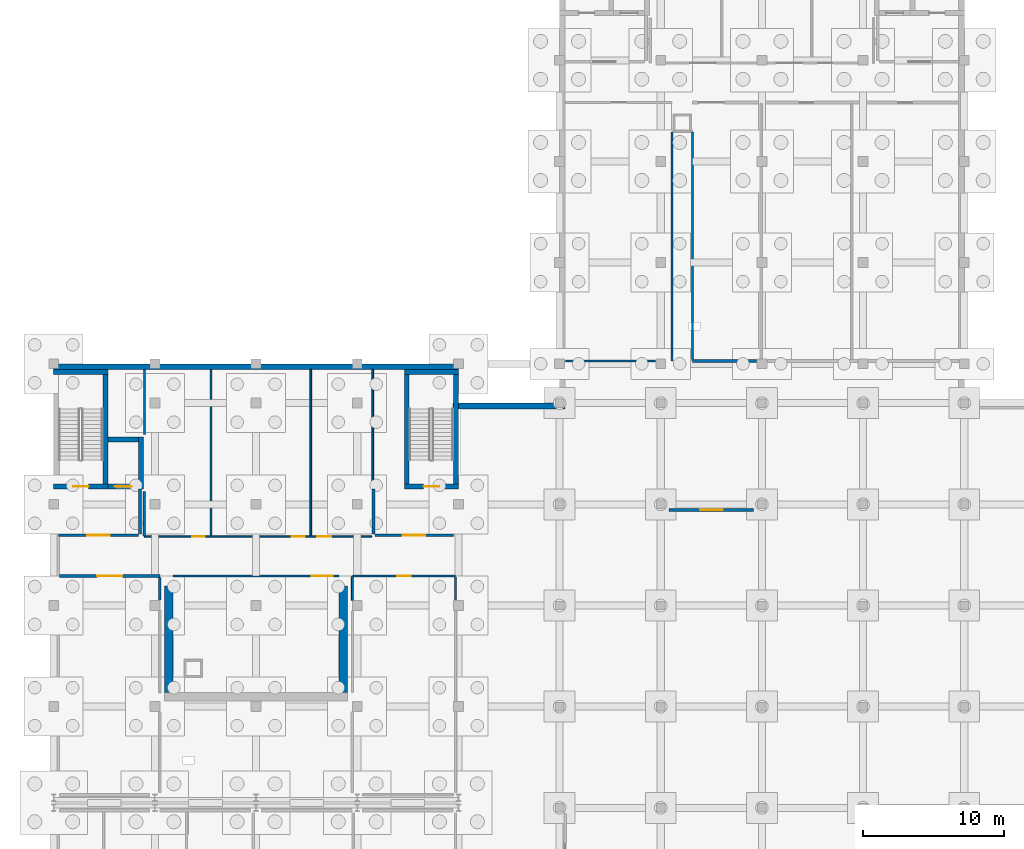
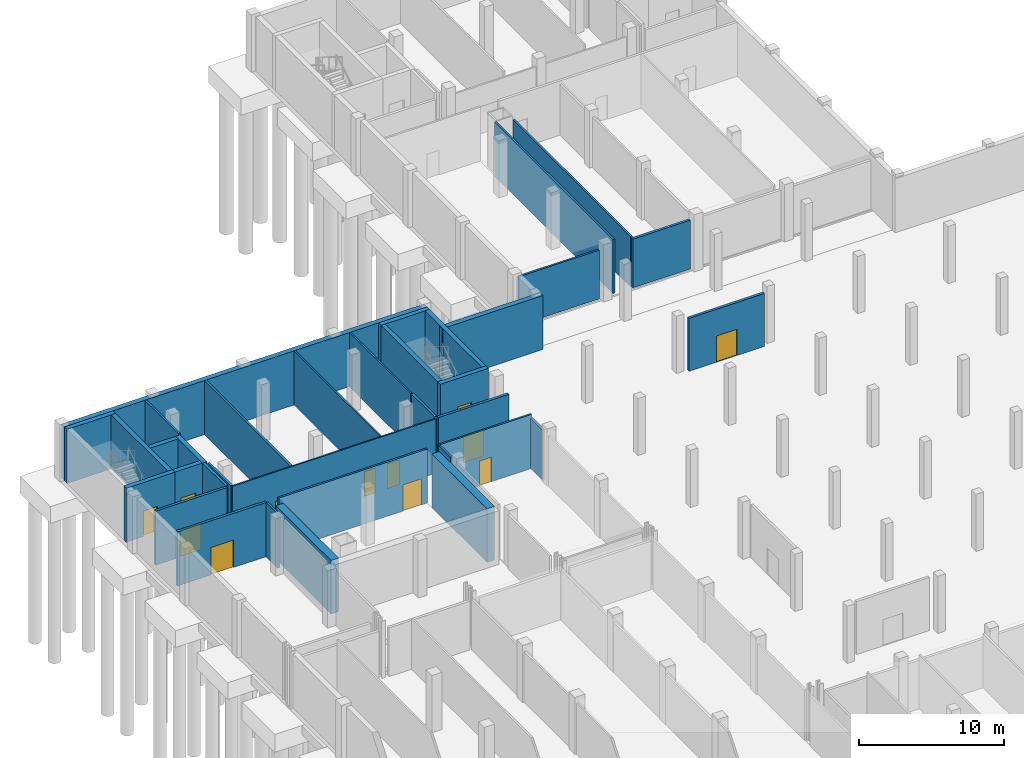
# One storey, part 21 of 35: 35 walls, 12 doors, 12 openings.
"""IFC4 building model written with IfcOpenShell, lengths in metres."""

from ifc_helpers import new_model, si_unit, direction, frame, frame_2d, origin, place, context, subcontext, project, spatial, rectangle, extrude, material, layer, layer_set, type_object, element, fill, save


model = new_model("IFC4")

# Units and contexts
model_context = context("Model", 3, precision=1e-05, world=origin(), true_north=direction((0.0, 1.0)))
body_context = subcontext(model_context, "Body", "Model", "MODEL_VIEW")
ifc_project = project(units=[si_unit("LENGTHUNIT", "METRE"), si_unit("AREAUNIT", "SQUARE_METRE"), si_unit("VOLUMEUNIT", "CUBIC_METRE"), si_unit("PLANEANGLEUNIT", "RADIAN"), si_unit("MASSUNIT", "GRAM", prefix="KILO")], contexts=[model_context])

# Site, building, storey
site_placement = place(None, origin())
site = spatial("IfcSite", under=ifc_project, at=site_placement, CompositionType="ELEMENT")
building_placement = place(site_placement, origin())
building = spatial("IfcBuilding", under=site, at=building_placement, Name="Zarrinpeak Specialist Clinic", CompositionType="ELEMENT")
storey_placement = place(building_placement, frame((0.0, 0.0, -4.800048828125)))
storey = spatial("IfcBuildingStorey", under=building, at=storey_placement, Name="B01", CompositionType="ELEMENT", Elevation=-4.800048828125)

# Walls
ifc_material_1 = material(Name="Concrete C40/50", Category="concrete")
ifc_layer_1 = layer(ifc_material_1, 0.60009765625)
ifc_layer_set_1 = layer_set([ifc_layer_1], Name="Concrete C40/50")
wall_type_1 = type_object("IfcWallType", Name="WL-BNK600", PredefinedType="SHEAR", material=ifc_layer_set_1)
for number, where, z_axis, x_axis, name in (
    (1, (8.199951171875, 58.60009765625, 0.0), (0.0, 0.0, 1.0), (0.0, 1.0, 0.0), "B01 Radiotherapy Shielded Bunker Shear Wall SW-BUNKER-01"),
    (2, (20.60009765625, 58.60009765625, 0.0), (0.0, 0.0, 1.0), (0.0, 1.0, 0.0), "B01 Radiotherapy Shielded Bunker Shear Wall SW-BUNKER-02"),
):
    element("IfcWall", number, at=place(storey_placement, frame(where, z_axis=z_axis, x_axis=x_axis)), inside=storey, type_object=wall_type_1, Name=name, PredefinedType="SHEAR", context=body_context, shape_type="SweptSolid", body=[
        extrude(rectangle(XDim=7.599853515625, YDim=0.60009765625, at=frame_2d((3.7998046875, 0.0))), origin(), (0.0, 0.0, 1.0), 4.5),
    ])

# Wall, opening, door
ifc_layer_2 = layer(ifc_material_1, 0.35009765625)
ifc_layer_set_2 = layer_set([ifc_layer_2], Name="Concrete C40/50")
wall_type_2 = type_object("IfcWallType", Name="WL-CR350", PredefinedType="SHEAR", material=ifc_layer_set_2)
wall_1_placement = place(storey_placement, frame((0.0, 73.27490234375, 0.0), z_axis=(0.0, 0.0, 1.0), x_axis=(1.0, 0.0, 0.0)))
wall_1 = element("IfcWall", 3, at=wall_1_placement, inside=storey, type_object=wall_type_2, Name="B01 Core C09 Shear Wall STS", PredefinedType="SHEAR", context=body_context, shape_type="SweptSolid", body=[
    extrude(rectangle(XDim=3.85009765625, YDim=0.35009765625, at=frame_2d((1.925048828125, 0.0))), origin(), (0.0, 0.0, 1.0), 4.545166015625),
])
opening_1_placement = place(wall_1_placement, frame((1.375, 0.0, 0.0)))
opening_1 = element("IfcOpeningElement", 4, at=opening_1_placement, cuts=wall_1, Name="Opening D-S02", PredefinedType="OPENING", context=body_context, shape_type="SweptSolid", body=[
    extrude(rectangle(XDim=1.10009765625, YDim=2.14990234375, at=frame_2d((0.550048828125, 1.074951171875))), frame((0.0, 0.18505859375, 0.0), z_axis=(0.0, -1.0, 0.0), x_axis=(1.0, 0.0, 0.0)), (0.0, 0.0, 1.0), 0.3701171875),
])
ifc_material_2 = material(Name="Powder-Coated Galvanised Steel", Category="steel")
door_type_1 = type_object("IfcDoorType", Name="DR-FD110", OperationType="SINGLE_SWING_RIGHT", PredefinedType="DOOR", material=ifc_material_2)
door_1_placement = place(opening_1_placement, origin())
door_1 = element("IfcDoor", 5, at=door_1_placement, inside=storey, type_object=door_type_1, Name="B01 Protected Stair ST-09 Fire Door", OperationType="SINGLE_SWING_RIGHT", OverallHeight=2.14990234375, OverallWidth=1.10009765625, PredefinedType="DOOR", context=body_context, shape_type="SweptSolid", body=[
    extrude(rectangle(XDim=1.10009765625, YDim=2.14990234375, at=frame_2d((0.550048828125, 1.074951171875))), frame((0.0, 0.02490234375, 0.0), z_axis=(0.0, -1.0, 0.0), x_axis=(1.0, 0.0, 0.0)), (0.0, 0.0, 1.0), 0.050048828125),
])
fill(opening_1, door_1)

# Walls
wall_2_placement = place(storey_placement, frame((0.0, 81.425048828125, 0.0), z_axis=(0.0, 0.0, 1.0), x_axis=(1.0, 0.0, 0.0)))
element("IfcWall", 6, at=wall_2_placement, inside=storey, type_object=wall_type_2, Name="B01 Core C09 Shear Wall STN", PredefinedType="SHEAR", context=body_context, shape_type="SweptSolid", body=[
    extrude(rectangle(XDim=3.85009765625, YDim=0.35009765625, at=frame_2d((1.925048828125, 0.0))), origin(), (0.0, 0.0, 1.0), 4.545166015625),
])
wall_3_placement = place(storey_placement, frame((3.675048828125, 73.449951171875, 0.0), z_axis=(0.0, 0.0, 1.0), x_axis=(0.0, 1.0, 0.0)))
element("IfcWall", 7, at=wall_3_placement, inside=storey, type_object=wall_type_2, Name="B01 Core C09 Shear Wall STE", PredefinedType="SHEAR", context=body_context, shape_type="SweptSolid", body=[
    extrude(rectangle(XDim=7.800048828125, YDim=0.35009765625, at=frame_2d((3.89990234375, 0.0))), origin(), (0.0, 0.0, 1.0), 4.545166015625),
])

# Wall, opening, door
wall_4_placement = place(storey_placement, frame((3.85009765625, 73.27490234375, 0.0), z_axis=(0.0, 0.0, 1.0), x_axis=(1.0, 0.0, 0.0)))
wall_4 = element("IfcWall", 8, at=wall_4_placement, inside=storey, type_object=wall_type_2, Name="B01 Lift LF-P5 Shaft Wall LFS", PredefinedType="SHEAR", context=body_context, shape_type="SweptSolid", body=[
    extrude(rectangle(XDim=2.199951171875, YDim=0.35009765625, at=frame_2d((1.10009765625, 0.0))), origin(), (0.0, 0.0, 1.0), 4.545166015625),
])
opening_2_placement = place(wall_4_placement, frame((0.5, 0.0, 0.0)))
opening_2 = element("IfcOpeningElement", 9, at=opening_2_placement, cuts=wall_4, Name="Opening LD-02", PredefinedType="OPENING", context=body_context, shape_type="SweptSolid", body=[
    extrude(rectangle(XDim=1.199951171875, YDim=2.199951171875, at=frame_2d((0.60009765625, 1.10009765625))), frame((0.0, 0.18505859375, 0.0), z_axis=(0.0, -1.0, 0.0), x_axis=(1.0, 0.0, 0.0)), (0.0, 0.0, 1.0), 0.3701171875),
])
door_type_2 = type_object("IfcDoorType", Name="DR-LD120", OperationType="SLIDING_TO_RIGHT", PredefinedType="DOOR", material=ifc_material_2)
door_2_placement = place(opening_2_placement, origin())
door_2 = element("IfcDoor", 10, at=door_2_placement, inside=storey, type_object=door_type_2, Name="B01 Lift LF-P5 Sliding Landing Door", OperationType="SLIDING_TO_RIGHT", OverallHeight=2.199951171875, OverallWidth=1.199951171875, PredefinedType="DOOR", context=body_context, shape_type="SweptSolid", body=[
    extrude(rectangle(XDim=1.199951171875, YDim=2.199951171875, at=frame_2d((0.60009765625, 1.10009765625))), frame((0.0, 0.02490234375, 0.0), z_axis=(0.0, -1.0, 0.0), x_axis=(1.0, 0.0, 0.0)), (0.0, 0.0, 1.0), 0.050048828125),
])
fill(opening_2, door_2)

# Walls
wall_5_placement = place(storey_placement, frame((3.85009765625, 76.625, 0.0), z_axis=(0.0, 0.0, 1.0), x_axis=(1.0, 0.0, 0.0)))
element("IfcWall", 11, at=wall_5_placement, inside=storey, type_object=wall_type_2, Name="B01 Lift LF-P5 Shaft Wall LFN", PredefinedType="SHEAR", context=body_context, shape_type="SweptSolid", body=[
    extrude(rectangle(XDim=2.199951171875, YDim=0.35009765625, at=frame_2d((1.10009765625, 0.0))), origin(), (0.0, 0.0, 1.0), 4.545166015625),
])
wall_6_placement = place(storey_placement, frame((6.22509765625, 73.10009765625, 0.0), z_axis=(0.0, 0.0, 1.0), x_axis=(0.0, 1.0, 0.0)))
element("IfcWall", 12, at=wall_6_placement, inside=storey, type_object=wall_type_2, Name="B01 Lift LF-P5 Shaft Wall LFE", PredefinedType="SHEAR", context=body_context, shape_type="SweptSolid", body=[
    extrude(rectangle(XDim=3.699951171875, YDim=0.35009765625, at=frame_2d((1.85009765625, 0.0))), origin(), (0.0, 0.0, 1.0), 4.545166015625),
])

# Wall, opening, door
wall_7_placement = place(storey_placement, frame((24.949951171875, 73.27490234375, 0.0), z_axis=(0.0, 0.0, 1.0), x_axis=(1.0, 0.0, 0.0)))
wall_7 = element("IfcWall", 13, at=wall_7_placement, inside=storey, type_object=wall_type_2, Name="B01 Core C10 Shear Wall STS", PredefinedType="SHEAR", context=body_context, shape_type="SweptSolid", body=[
    extrude(rectangle(XDim=3.85009765625, YDim=0.35009765625, at=frame_2d((1.925048828125, 0.0))), origin(), (0.0, 0.0, 1.0), 4.545166015625),
])
opening_3_placement = place(wall_7_placement, frame((1.375, 0.0, 0.0)))
opening_3 = element("IfcOpeningElement", 14, at=opening_3_placement, cuts=wall_7, Name="Opening D-S02", PredefinedType="OPENING", context=body_context, shape_type="SweptSolid", body=[
    extrude(rectangle(XDim=1.10009765625, YDim=2.14990234375, at=frame_2d((0.550048828125, 1.074951171875))), frame((0.0, 0.18505859375, 0.0), z_axis=(0.0, -1.0, 0.0), x_axis=(1.0, 0.0, 0.0)), (0.0, 0.0, 1.0), 0.3701171875),
])
door_3_placement = place(opening_3_placement, origin())
door_3 = element("IfcDoor", 15, at=door_3_placement, inside=storey, type_object=door_type_1, Name="B01 Protected Stair ST-10 Fire Door", OperationType="SINGLE_SWING_RIGHT", OverallHeight=2.14990234375, OverallWidth=1.10009765625, PredefinedType="DOOR", context=body_context, shape_type="SweptSolid", body=[
    extrude(rectangle(XDim=1.10009765625, YDim=2.14990234375, at=frame_2d((0.550048828125, 1.074951171875))), frame((0.0, 0.02490234375, 0.0), z_axis=(0.0, -1.0, 0.0), x_axis=(1.0, 0.0, 0.0)), (0.0, 0.0, 1.0), 0.050048828125),
])
fill(opening_3, door_3)

# Walls
wall_8_placement = place(storey_placement, frame((24.949951171875, 81.425048828125, 0.0), z_axis=(0.0, 0.0, 1.0), x_axis=(1.0, 0.0, 0.0)))
element("IfcWall", 16, at=wall_8_placement, inside=storey, type_object=wall_type_2, Name="B01 Core C10 Shear Wall STN", PredefinedType="SHEAR", context=body_context, shape_type="SweptSolid", body=[
    extrude(rectangle(XDim=3.85009765625, YDim=0.35009765625, at=frame_2d((1.925048828125, 0.0))), origin(), (0.0, 0.0, 1.0), 4.545166015625),
])
for number, where, z_axis, x_axis, name in (
    (17, (25.125, 73.449951171875, 0.0), (0.0, 0.0, 1.0), (0.0, 1.0, 0.0), "B01 Core C10 Shear Wall STW"),
    (18, (28.625, 73.449951171875, 0.0), (0.0, 0.0, 1.0), (0.0, 1.0, 0.0), "B01 Core C10 Shear Wall STE"),
):
    element("IfcWall", number, at=place(storey_placement, frame(where, z_axis=z_axis, x_axis=x_axis)), inside=storey, type_object=wall_type_2, Name=name, PredefinedType="SHEAR", context=body_context, shape_type="SweptSolid", body=[
        extrude(rectangle(XDim=7.800048828125, YDim=0.35009765625, at=frame_2d((3.89990234375, 0.0))), origin(), (0.0, 0.0, 1.0), 4.545166015625),
    ])

# Wall, openings, doors
ifc_material_3 = material(Name="Sanitary Service Chase Plumbing Wall", Category="gypsum")
ifc_layer_3 = layer(ifc_material_3, 0.110107421875)
ifc_layer_set_3 = layer_set([ifc_layer_3], Name="Sanitary Service Chase Plumbing Wall")
wall_type_3 = type_object("IfcWallType", Name="WL-IW110", PredefinedType="PARTITIONING", material=ifc_layer_set_3)
wall_9_placement = place(storey_placement, frame((6.449951171875, 69.699951171875, 0.0), z_axis=(0.0, 0.0, 1.0), x_axis=(1.0, 0.0, 0.0)))
wall_9 = element("IfcWall", 19, at=wall_9_placement, inside=storey, type_object=wall_type_3, Name="B01 Accessible Oncology WC Partition", PredefinedType="PARTITIONING", context=body_context, shape_type="SweptSolid", body=[
    extrude(rectangle(XDim=16.179931640625, YDim=0.110107421875, at=frame_2d((8.08984375, 0.0))), origin(), (0.0, 0.0, 1.0), 4.545166015625),
])
opening_4_placement = place(wall_9_placement, frame((12.300048828125, 0.0, 0.0)))
opening_4 = element("IfcOpeningElement", 20, at=opening_4_placement, cuts=wall_9, Name="Opening D-W02", PredefinedType="OPENING", context=body_context, shape_type="SweptSolid", body=[
    extrude(rectangle(XDim=1.0, YDim=2.10009765625, at=frame_2d((0.5, 1.050048828125))), frame((0.0, 0.06494140625, 0.0), z_axis=(0.0, -1.0, 0.0), x_axis=(1.0, 0.0, 0.0)), (0.0, 0.0, 1.0), 0.130126953125),
])
opening_5_placement = place(wall_9_placement, frame((3.419921875, 0.0, 0.0)))
opening_5 = element("IfcOpeningElement", 21, at=opening_5_placement, cuts=wall_9, Name="Opening DS-14", PredefinedType="OPENING", context=body_context, shape_type="SweptSolid", body=[
    extrude(rectangle(XDim=0.8798828125, YDim=2.068115234375, at=frame_2d((0.43994140625, 1.0341796875))), frame((0.0, 0.06494140625, 0.0), z_axis=(0.0, -1.0, 0.0), x_axis=(1.0, 0.0, 0.0)), (0.0, 0.0, 1.0), 0.130126953125),
])
opening_6_placement = place(wall_9_placement, frame((10.493896484375, 0.0, 0.0)))
opening_6 = element("IfcOpeningElement", 22, at=opening_6_placement, cuts=wall_9, Name="Opening DS-15", PredefinedType="OPENING", context=body_context, shape_type="SweptSolid", body=[
    extrude(rectangle(XDim=0.906005859375, YDim=2.068115234375, at=frame_2d((0.453125, 1.0341796875))), frame((0.0, 0.06494140625, 0.0), z_axis=(0.0, -1.0, 0.0), x_axis=(1.0, 0.0, 0.0)), (0.0, 0.0, 1.0), 0.130126953125),
])
door_type_3 = type_object("IfcDoorType", Name="DR-AWC100", OperationType="SLIDING_TO_LEFT", PredefinedType="DOOR", material=ifc_material_2)
door_4_placement = place(opening_4_placement, frame((1.0, 0.0, 0.0), z_axis=(0.0, 0.0, 1.0), x_axis=(-1.0, 0.0, 0.0)))
door_4 = element("IfcDoor", 23, at=door_4_placement, inside=storey, type_object=door_type_3, Name="B01 Accessible Oncology WC Door", OperationType="SLIDING_TO_LEFT", OverallHeight=2.10009765625, OverallWidth=1.0, PredefinedType="DOOR", context=body_context, shape_type="SweptSolid", body=[
    extrude(rectangle(XDim=1.0, YDim=2.10009765625, at=frame_2d((0.5, 1.050048828125))), frame((0.0, 0.02490234375, 0.0), z_axis=(0.0, -1.0, 0.0), x_axis=(1.0, 0.0, 0.0)), (0.0, 0.0, 1.0), 0.050048828125),
])
fill(opening_4, door_4)
door_type_4 = type_object("IfcDoorType", Name="DR-SP14", OperationType="SINGLE_SWING_LEFT", PredefinedType="DOOR", material=ifc_material_2)
door_5_placement = place(opening_5_placement, frame((0.8798828125, 0.0, 0.0), z_axis=(0.0, 0.0, 1.0), x_axis=(-1.0, 0.0, 0.0)))
door_5 = element("IfcDoor", 24, at=door_5_placement, inside=storey, type_object=door_type_4, Name="B01 Brachytherapy Control Room Door", OperationType="SINGLE_SWING_LEFT", OverallHeight=2.068115234375, OverallWidth=0.8798828125, PredefinedType="DOOR", context=body_context, shape_type="SweptSolid", body=[
    extrude(rectangle(XDim=0.8798828125, YDim=2.068115234375, at=frame_2d((0.43994140625, 1.0341796875))), frame((0.0, 0.02490234375, 0.0), z_axis=(0.0, -1.0, 0.0), x_axis=(1.0, 0.0, 0.0)), (0.0, 0.0, 1.0), 0.050048828125),
])
fill(opening_5, door_5)
door_type_5 = type_object("IfcDoorType", Name="DR-SP15", OperationType="SINGLE_SWING_RIGHT", PredefinedType="DOOR", material=ifc_material_2)
door_6_placement = place(opening_6_placement, frame((0.906005859375, 0.0, 0.0), z_axis=(0.0, 0.0, 1.0), x_axis=(-1.0, 0.0, 0.0)))
door_6 = element("IfcDoor", 25, at=door_6_placement, inside=storey, type_object=door_type_5, Name="B01 Physics Dosimetry Office Door", OperationType="SINGLE_SWING_RIGHT", OverallHeight=2.068115234375, OverallWidth=0.906005859375, PredefinedType="DOOR", context=body_context, shape_type="SweptSolid", body=[
    extrude(rectangle(XDim=0.906005859375, YDim=2.068115234375, at=frame_2d((0.453125, 1.0341796875))), frame((0.0, 0.02490234375, 0.0), z_axis=(0.0, -1.0, 0.0), x_axis=(1.0, 0.0, 0.0)), (0.0, 0.0, 1.0), 0.050048828125),
])
fill(opening_6, door_6)

# Walls
ifc_material_4 = material(Name="Moisture-Resistant Wet-Room Partition", Category="gypsum")
ifc_layer_4 = layer(ifc_material_4, 0.125)
ifc_layer_set_4 = layer_set([ifc_layer_4], Name="Moisture-Resistant Wet-Room Partition")
wall_type_4 = type_object("IfcWallType", Name="WL-IW125W", PredefinedType="PARTITIONING", material=ifc_layer_set_4)
wall_10_placement = place(storey_placement, frame((18.300048828125, 69.7548828125, 0.0), z_axis=(0.0, 0.0, 1.0), x_axis=(0.0, 1.0, 0.0)))
element("IfcWall", 26, at=wall_10_placement, inside=storey, type_object=wall_type_4, Name="B01 Accessible Oncology WC Dividing Partition", PredefinedType="PARTITIONING", context=body_context, shape_type="SweptSolid", body=[
    extrude(rectangle(XDim=11.84521484375, YDim=0.125, at=frame_2d((5.922607421875, 0.0))), origin(), (0.0, 0.0, 1.0), 4.545166015625),
])
wall_11_placement = place(storey_placement, frame((22.699951171875, 73.199951171875, 0.0), z_axis=(0.0, 0.0, 1.0), x_axis=(0.0, 1.0, 0.0)))
element("IfcWall", 27, at=wall_11_placement, inside=storey, type_object=wall_type_4, Name="B01 Accessible Oncology WC Dividing Partition", PredefinedType="PARTITIONING", context=body_context, shape_type="SweptSolid", body=[
    extrude(rectangle(XDim=8.400146484375, YDim=0.125, at=frame_2d((4.2001953125, 0.0))), origin(), (0.0, 0.0, 1.0), 4.545166015625),
])

# Wall, opening, door
ifc_material_5 = material(Name="Acoustic Consultation Stud Partition", Category="gypsum")
ifc_layer_5 = layer(ifc_material_5, 0.14208984375)
ifc_layer_set_5 = layer_set([ifc_layer_5], Name="Acoustic Consultation Stud Partition")
wall_type_5 = type_object("IfcWallType", Name="WL-IW142", PredefinedType="PARTITIONING", material=ifc_layer_set_5)
wall_12_placement = place(storey_placement, frame((21.25, 66.89990234375, 0.0), z_axis=(0.0, 0.0, 1.0), x_axis=(1.0, 0.0, 0.0)))
wall_12 = element("IfcWall", 28, at=wall_12_placement, inside=storey, type_object=wall_type_5, Name="B01 Specialist Consultation Room 1 Partition", PredefinedType="PARTITIONING", context=body_context, shape_type="SweptSolid", body=[
    extrude(rectangle(XDim=7.35009765625, YDim=0.14208984375, at=frame_2d((3.675048828125, 0.0))), origin(), (0.0, 0.0, 1.0), 4.545166015625),
])
opening_7_placement = place(wall_12_placement, frame((3.208984375, 0.0, 0.0)))
opening_7 = element("IfcOpeningElement", 29, at=opening_7_placement, cuts=wall_12, Name="Opening DS-16", PredefinedType="OPENING", context=body_context, shape_type="SweptSolid", body=[
    extrude(rectangle(XDim=0.931884765625, YDim=2.068115234375, at=frame_2d((0.4658203125, 1.0341796875))), frame((0.0, 0.0810546875, 0.0), z_axis=(0.0, -1.0, 0.0), x_axis=(1.0, 0.0, 0.0)), (0.0, 0.0, 1.0), 0.162109375),
])
door_type_6 = type_object("IfcDoorType", Name="DR-SP16", OperationType="SINGLE_SWING_LEFT", PredefinedType="DOOR", material=ifc_material_2)
door_7_placement = place(opening_7_placement, origin())
door_7 = element("IfcDoor", 30, at=door_7_placement, inside=storey, type_object=door_type_6, Name="B01 Specialist Consultation Room 1 Door", OperationType="SINGLE_SWING_LEFT", OverallHeight=2.068115234375, OverallWidth=0.931884765625, PredefinedType="DOOR", context=body_context, shape_type="SweptSolid", body=[
    extrude(rectangle(XDim=0.931884765625, YDim=2.068115234375, at=frame_2d((0.4658203125, 1.0341796875))), frame((0.0, 0.02490234375, 0.0), z_axis=(0.0, -1.0, 0.0), x_axis=(1.0, 0.0, 0.0)), (0.0, 0.0, 1.0), 0.050048828125),
])
fill(opening_7, door_7)

# Walls
wall_13_placement = place(storey_placement, frame((21.25, 65.179931640625, 0.0), z_axis=(0.0, 0.0, 1.0), x_axis=(0.0, 1.0, 0.0)))
element("IfcWall", 31, at=wall_13_placement, inside=storey, type_object=wall_type_5, Name="B01 Specialist Consultation Room 1 Dividing Partition", PredefinedType="PARTITIONING", context=body_context, shape_type="SweptSolid", body=[
    extrude(rectangle(XDim=1.649169921875, YDim=0.14208984375, at=frame_2d((0.82470703125, 0.0))), origin(), (0.0, 0.0, 1.0), 4.545166015625),
])
ifc_material_6 = material(Name="Insulated Clinical Gypsum Stud Partition", Category="gypsum")
ifc_layer_6 = layer(ifc_material_6, 0.14990234375)
ifc_layer_set_6 = layer_set([ifc_layer_6], Name="Insulated Clinical Gypsum Stud Partition")
wall_type_6 = type_object("IfcWallType", Name="WL-IW150", PredefinedType="PARTITIONING", material=ifc_layer_set_6)
wall_14_placement = place(storey_placement, frame((36.419921875, 82.199951171875, 0.0), z_axis=(0.0, 0.0, 1.0), x_axis=(1.0, 0.0, 0.0)))
element("IfcWall", 32, at=wall_14_placement, inside=storey, type_object=wall_type_6, Name="B01 Specialist Consultation Room 2 Partition", PredefinedType="PARTITIONING", context=body_context, shape_type="SweptSolid", body=[
    extrude(rectangle(XDim=6.400146484375, YDim=0.14990234375, at=frame_2d((3.2001953125, 0.0))), origin(), (0.0, 0.0, 1.0), 4.094970703125),
])
wall_15_placement = place(storey_placement, frame((6.449951171875, 76.97509765625, 0.0), z_axis=(0.0, 0.0, 1.0), x_axis=(0.0, 1.0, 0.0)))
element("IfcWall", 33, at=wall_15_placement, inside=storey, type_object=wall_type_6, Name="B01 Brachytherapy Control Room Dividing Partition", PredefinedType="PARTITIONING", context=body_context, shape_type="SweptSolid", body=[
    extrude(rectangle(XDim=4.625, YDim=0.14990234375, at=frame_2d((2.3125, 0.0))), origin(), (0.0, 0.0, 1.0), 4.545166015625),
])
wall_16_placement = place(storey_placement, frame((45.449951171875, 82.300048828125, 0.0), z_axis=(0.0, 0.0, 1.0), x_axis=(0.0, 1.0, 0.0)))
element("IfcWall", 34, at=wall_16_placement, inside=storey, type_object=wall_type_6, Name="B01 Autoclave Glassware Wash Plant Dividing Partition", PredefinedType="PARTITIONING", context=body_context, shape_type="SweptSolid", body=[
    extrude(rectangle(XDim=16.18994140625, YDim=0.14990234375, at=frame_2d((8.094970703125, 0.0))), origin(), (0.0, 0.0, 1.0), 4.235107421875),
])

# Wall, opening, door
ifc_material_7 = material(Name="Lead-Lined X-Ray Diagnostic Partition", Category="gypsum")
ifc_layer_7 = layer(ifc_material_7, 0.157958984375)
ifc_layer_set_7 = layer_set([ifc_layer_7], Name="Lead-Lined X-Ray Diagnostic Partition")
wall_type_7 = type_object("IfcWallType", Name="WL-IW158", PredefinedType="PARTITIONING", material=ifc_layer_set_7)
wall_17_placement = place(storey_placement, frame((8.5, 66.89990234375, 0.0), z_axis=(0.0, 0.0, 1.0), x_axis=(1.0, 0.0, 0.0)))
wall_17 = element("IfcWall", 35, at=wall_17_placement, inside=storey, type_object=wall_type_7, Name="B01 Radiotherapy Linear Accelerator Bunker Partition", PredefinedType="PARTITIONING", context=body_context, shape_type="SweptSolid", body=[
    extrude(rectangle(XDim=11.800048828125, YDim=0.157958984375, at=frame_2d((5.89990234375, 0.0))), origin(), (0.0, 0.0, 1.0), 4.545166015625),
])
opening_8_placement = place(wall_17_placement, frame((9.85009765625, 0.0, 0.0)))
opening_8 = element("IfcOpeningElement", 36, at=opening_8_placement, cuts=wall_17, Name="Opening D-B01", PredefinedType="OPENING", context=body_context, shape_type="SweptSolid", body=[
    extrude(rectangle(XDim=1.5, YDim=2.199951171875, at=frame_2d((0.75, 1.10009765625))), frame((0.0, 0.0888671875, 0.0), z_axis=(0.0, -1.0, 0.0), x_axis=(1.0, 0.0, 0.0)), (0.0, 0.0, 1.0), 0.177978515625),
])
door_type_7 = type_object("IfcDoorType", Name="DR-BED150", OperationType="DOUBLE_DOOR_SINGLE_SWING", PredefinedType="DOOR", material=ifc_material_2)
door_8_placement = place(opening_8_placement, origin())
door_8 = element("IfcDoor", 37, at=door_8_placement, inside=storey, type_object=door_type_7, Name="B01 Radiotherapy Linear Accelerator Bunker Door", OperationType="DOUBLE_DOOR_SINGLE_SWING", OverallHeight=2.199951171875, OverallWidth=1.5, PredefinedType="DOOR", context=body_context, shape_type="SweptSolid", body=[
    extrude(rectangle(XDim=1.5, YDim=2.199951171875, at=frame_2d((0.75, 1.10009765625))), frame((0.0, 0.02490234375, 0.0), z_axis=(0.0, -1.0, 0.0), x_axis=(1.0, 0.0, 0.0)), (0.0, 0.0, 1.0), 0.050048828125),
])
fill(opening_8, door_8)

# Walls
ifc_material_8 = material(Name="Acoustic Double Gypsum Stud Partition", Category="gypsum")
ifc_layer_8 = layer(ifc_material_8, 0.159912109375)
ifc_layer_set_8 = layer_set([ifc_layer_8], Name="Acoustic Double Gypsum Stud Partition")
wall_type_8 = type_object("IfcWallType", Name="WL-IW160", PredefinedType="PARTITIONING", material=ifc_layer_set_8)
wall_18_placement = place(storey_placement, frame((6.449951171875, 69.7548828125, 0.0), z_axis=(0.0, 0.0, 1.0), x_axis=(0.0, 1.0, 0.0)))
element("IfcWall", 38, at=wall_18_placement, inside=storey, type_object=wall_type_8, Name="B01 Brachytherapy Control Room Dividing Partition", PredefinedType="PARTITIONING", context=body_context, shape_type="SweptSolid", body=[
    extrude(rectangle(XDim=3.170166015625, YDim=0.159912109375, at=frame_2d((1.5849609375, 0.0))), origin(), (0.0, 0.0, 1.0), 4.545166015625),
])
wall_19_placement = place(storey_placement, frame((7.550048828125, 65.179931640625, 0.0), z_axis=(0.0, 0.0, 1.0), x_axis=(0.0, 1.0, 0.0)))
element("IfcWall", 39, at=wall_19_placement, inside=storey, type_object=wall_type_8, Name="B01 Helium Quench Chiller Plant Dividing Partition", PredefinedType="PARTITIONING", context=body_context, shape_type="SweptSolid", body=[
    extrude(rectangle(XDim=1.6201171875, YDim=0.159912109375, at=frame_2d((0.81005859375, 0.0))), origin(), (0.0, 0.0, 1.0), 4.545166015625),
])
wall_20_placement = place(storey_placement, frame((11.199951171875, 69.7548828125, 0.0), z_axis=(0.0, 0.0, 1.0), x_axis=(0.0, 1.0, 0.0)))
element("IfcWall", 40, at=wall_20_placement, inside=storey, type_object=wall_type_8, Name="B01 Brachytherapy Control Room Dividing Partition", PredefinedType="PARTITIONING", context=body_context, shape_type="SweptSolid", body=[
    extrude(rectangle(XDim=11.84521484375, YDim=0.159912109375, at=frame_2d((5.922607421875, 0.0))), origin(), (0.0, 0.0, 1.0), 4.545166015625),
])
wall_21_placement = place(storey_placement, frame((28.60009765625, 65.179931640625, 0.0), z_axis=(0.0, 0.0, 1.0), x_axis=(0.0, 1.0, 0.0)))
element("IfcWall", 41, at=wall_21_placement, inside=storey, type_object=wall_type_8, Name="B01 Specialist Consultation Room 1 Dividing Partition", PredefinedType="PARTITIONING", context=body_context, shape_type="SweptSolid", body=[
    extrude(rectangle(XDim=1.649169921875, YDim=0.159912109375, at=frame_2d((0.82470703125, 0.0))), origin(), (0.0, 0.0, 1.0), 4.235107421875),
])
wall_22_placement = place(storey_placement, frame((44.0, 82.199951171875, 0.0), z_axis=(0.0, 0.0, 1.0), x_axis=(0.0, 1.0, 0.0)))
element("IfcWall", 42, at=wall_22_placement, inside=storey, type_object=wall_type_8, Name="B01 Specialist Consultation Room 2 Dividing Partition", PredefinedType="PARTITIONING", context=body_context, shape_type="SweptSolid", body=[
    extrude(rectangle(XDim=16.2900390625, YDim=0.159912109375, at=frame_2d((8.14501953125, 0.0))), origin(), (0.0, 0.0, 1.0), 4.545166015625),
])

# Wall, opening, door
ifc_material_9 = material(Name="Autoclaved Aerated Concrete Blockwork", Category="masonry")
ifc_layer_9 = layer(ifc_material_9, 0.199951171875)
ifc_layer_set_9 = layer_set([ifc_layer_9], Name="Autoclaved Aerated Concrete Blockwork")
wall_type_9 = type_object("IfcWallType", Name="WL-IW200", PredefinedType="PARTITIONING", material=ifc_layer_set_9)
wall_23_placement = place(storey_placement, frame((0.35009765625, 69.800048828125, 0.0), z_axis=(0.0, 0.0, 1.0), x_axis=(1.0, 0.0, 0.0)))
wall_23 = element("IfcWall", 43, at=wall_23_placement, inside=storey, type_object=wall_type_9, Name="B01 C09 Protected Lobby Partition LBF", PredefinedType="PARTITIONING", context=body_context, shape_type="SweptSolid", body=[
    extrude(rectangle(XDim=5.699951171875, YDim=0.199951171875, at=frame_2d((2.85009765625, 0.0))), origin(), (0.0, 0.0, 1.0), 4.545166015625),
])
opening_9_placement = place(wall_23_placement, frame((2.050048828125, 0.0, 0.0)))
opening_9 = element("IfcOpeningElement", 44, at=opening_9_placement, cuts=wall_23, Name="Opening D-L01", PredefinedType="OPENING", context=body_context, shape_type="SweptSolid", body=[
    extrude(rectangle(XDim=1.60009765625, YDim=2.199951171875, at=frame_2d((0.800048828125, 1.10009765625))), frame((0.0, 0.10986328125, 0.0), z_axis=(0.0, -1.0, 0.0), x_axis=(1.0, 0.0, 0.0)), (0.0, 0.0, 1.0), 0.219970703125),
])
door_type_8 = type_object("IfcDoorType", Name="DR-LB160", OperationType="DOUBLE_DOOR_SINGLE_SWING", PredefinedType="DOOR", material=ifc_material_2)
door_9_placement = place(opening_9_placement, origin())
door_9 = element("IfcDoor", 45, at=door_9_placement, inside=storey, type_object=door_type_8, Name="B01 C09 Lobby Hold-Open Fire Door", OperationType="DOUBLE_DOOR_SINGLE_SWING", OverallHeight=2.199951171875, OverallWidth=1.60009765625, PredefinedType="DOOR", context=body_context, shape_type="SweptSolid", body=[
    extrude(rectangle(XDim=1.60009765625, YDim=2.199951171875, at=frame_2d((0.800048828125, 1.10009765625))), frame((0.0, 0.02490234375, 0.0), z_axis=(0.0, -1.0, 0.0), x_axis=(1.0, 0.0, 0.0)), (0.0, 0.0, 1.0), 0.050048828125),
])
fill(opening_9, door_9)

# Wall
wall_24_placement = place(storey_placement, frame((6.14990234375, 69.89990234375, 0.0), z_axis=(0.0, 0.0, 1.0), x_axis=(0.0, 1.0, 0.0)))
element("IfcWall", 46, at=wall_24_placement, inside=storey, type_object=wall_type_9, Name="B01 C09 Protected Lobby Partition LBE", PredefinedType="PARTITIONING", context=body_context, shape_type="SweptSolid", body=[
    extrude(rectangle(XDim=3.2001953125, YDim=0.199951171875, at=frame_2d((1.60009765625, 0.0))), origin(), (0.0, 0.0, 1.0), 4.545166015625),
])

# Wall, opening, door
wall_25_placement = place(storey_placement, frame((22.85009765625, 69.800048828125, 0.0), z_axis=(0.0, 0.0, 1.0), x_axis=(1.0, 0.0, 0.0)))
wall_25 = element("IfcWall", 47, at=wall_25_placement, inside=storey, type_object=wall_type_9, Name="B01 C10 Protected Lobby Partition LBF", PredefinedType="PARTITIONING", context=body_context, shape_type="SweptSolid", body=[
    extrude(rectangle(XDim=5.599853515625, YDim=0.199951171875, at=frame_2d((2.7998046875, 0.0))), origin(), (0.0, 0.0, 1.0), 4.545166015625),
])
opening_10_placement = place(wall_25_placement, frame((2.0, 0.0, 0.0)))
opening_10 = element("IfcOpeningElement", 48, at=opening_10_placement, cuts=wall_25, Name="Opening D-L01", PredefinedType="OPENING", context=body_context, shape_type="SweptSolid", body=[
    extrude(rectangle(XDim=1.60009765625, YDim=2.199951171875, at=frame_2d((0.800048828125, 1.10009765625))), frame((0.0, 0.10986328125, 0.0), z_axis=(0.0, -1.0, 0.0), x_axis=(1.0, 0.0, 0.0)), (0.0, 0.0, 1.0), 0.219970703125),
])
door_10_placement = place(opening_10_placement, origin())
door_10 = element("IfcDoor", 49, at=door_10_placement, inside=storey, type_object=door_type_8, Name="B01 C10 Lobby Hold-Open Fire Door", OperationType="DOUBLE_DOOR_SINGLE_SWING", OverallHeight=2.199951171875, OverallWidth=1.60009765625, PredefinedType="DOOR", context=body_context, shape_type="SweptSolid", body=[
    extrude(rectangle(XDim=1.60009765625, YDim=2.199951171875, at=frame_2d((0.800048828125, 1.10009765625))), frame((0.0, 0.02490234375, 0.0), z_axis=(0.0, -1.0, 0.0), x_axis=(1.0, 0.0, 0.0)), (0.0, 0.0, 1.0), 0.050048828125),
])
fill(opening_10, door_10)

# Wall
wall_26_placement = place(storey_placement, frame((22.75, 69.89990234375, 0.0), z_axis=(0.0, 0.0, 1.0), x_axis=(0.0, 1.0, 0.0)))
element("IfcWall", 50, at=wall_26_placement, inside=storey, type_object=wall_type_9, Name="B01 C10 Protected Lobby Partition LBW", PredefinedType="PARTITIONING", context=body_context, shape_type="SweptSolid", body=[
    extrude(rectangle(XDim=3.2001953125, YDim=0.199951171875, at=frame_2d((1.60009765625, 0.0))), origin(), (0.0, 0.0, 1.0), 4.545166015625),
])

# Wall, opening, door
wall_27_placement = place(storey_placement, frame((0.419921875, 66.89990234375, 0.0), z_axis=(0.0, 0.0, 1.0), x_axis=(1.0, 0.0, 0.0)))
wall_27 = element("IfcWall", 51, at=wall_27_placement, inside=storey, type_object=wall_type_9, Name="B01 Helium Quench Chiller Plant Partition", PredefinedType="PARTITIONING", context=body_context, shape_type="SweptSolid", body=[
    extrude(rectangle(XDim=7.130126953125, YDim=0.199951171875, at=frame_2d((3.56494140625, 0.0))), origin(), (0.0, 0.0, 1.0), 4.545166015625),
])
opening_11_placement = place(wall_27_placement, frame((2.6650390625, 0.0, 0.0)))
opening_11 = element("IfcOpeningElement", 52, at=opening_11_placement, cuts=wall_27, Name="Opening D-P01", PredefinedType="OPENING", context=body_context, shape_type="SweptSolid", body=[
    extrude(rectangle(XDim=1.800048828125, YDim=2.300048828125, at=frame_2d((0.89990234375, 1.14990234375))), frame((0.0, 0.10986328125, 0.0), z_axis=(0.0, -1.0, 0.0), x_axis=(1.0, 0.0, 0.0)), (0.0, 0.0, 1.0), 0.219970703125),
])
door_type_9 = type_object("IfcDoorType", Name="DR-PLT180", OperationType="DOUBLE_DOOR_SINGLE_SWING", PredefinedType="DOOR", material=ifc_material_2)
door_11_placement = place(opening_11_placement, origin())
door_11 = element("IfcDoor", 53, at=door_11_placement, inside=storey, type_object=door_type_9, Name="B01 Helium Quench Chiller Plant Door", OperationType="DOUBLE_DOOR_SINGLE_SWING", OverallHeight=2.300048828125, OverallWidth=1.800048828125, PredefinedType="DOOR", context=body_context, shape_type="SweptSolid", body=[
    extrude(rectangle(XDim=1.800048828125, YDim=2.300048828125, at=frame_2d((0.89990234375, 1.14990234375))), frame((0.0, 0.02490234375, 0.0), z_axis=(0.0, -1.0, 0.0), x_axis=(1.0, 0.0, 0.0)), (0.0, 0.0, 1.0), 0.050048828125),
])
fill(opening_11, door_11)

# Wall
wall_28_placement = place(storey_placement, frame((45.449951171875, 82.199951171875, 0.0), z_axis=(0.0, 0.0, 1.0), x_axis=(1.0, 0.0, 0.0)))
element("IfcWall", 54, at=wall_28_placement, inside=storey, type_object=wall_type_9, Name="B01 Autoclave Glassware Wash Plant Partition", PredefinedType="PARTITIONING", context=body_context, shape_type="SweptSolid", body=[
    extrude(rectangle(XDim=4.570068359375, YDim=0.199951171875, at=frame_2d((2.28515625, 0.0))), origin(), (0.0, 0.0, 1.0), 4.094970703125),
])

# Wall, opening, door
wall_29_placement = place(storey_placement, frame((43.800048828125, 71.60009765625, 0.0), z_axis=(0.0, 0.0, 1.0), x_axis=(1.0, 0.0, 0.0)))
wall_29 = element("IfcWall", 55, at=wall_29_placement, inside=storey, type_object=wall_type_9, Name="B01 Car-Park Fire Vestibule Wall IW-B01-LOOP-N1", PredefinedType="PARTITIONING", context=body_context, shape_type="SweptSolid", body=[
    extrude(rectangle(XDim=6.0, YDim=0.199951171875, at=frame_2d((3.0, 0.0))), origin(), (0.0, 0.0, 1.0), 4.449951171875),
])
opening_12_placement = place(wall_29_placement, frame((2.199951171875, 0.0, 0.0)))
opening_12 = element("IfcOpeningElement", 56, at=opening_12_placement, cuts=wall_29, Name="Opening D-L01", PredefinedType="OPENING", context=body_context, shape_type="SweptSolid", body=[
    extrude(rectangle(XDim=1.60009765625, YDim=2.199951171875, at=frame_2d((0.800048828125, 1.10009765625))), frame((0.0, 0.10986328125, 0.0), z_axis=(0.0, -1.0, 0.0), x_axis=(1.0, 0.0, 0.0)), (0.0, 0.0, 1.0), 0.219970703125),
])
door_12_placement = place(opening_12_placement, origin())
door_12 = element("IfcDoor", 57, at=door_12_placement, inside=storey, type_object=door_type_8, Name="B01 Car-Park Loop Pedestrian Fire Door IW-B01-LOOP-N1", OperationType="DOUBLE_DOOR_SINGLE_SWING", OverallHeight=2.199951171875, OverallWidth=1.60009765625, PredefinedType="DOOR", context=body_context, shape_type="SweptSolid", body=[
    extrude(rectangle(XDim=1.60009765625, YDim=2.199951171875, at=frame_2d((0.800048828125, 1.10009765625))), frame((0.0, 0.02490234375, 0.0), z_axis=(0.0, -1.0, 0.0), x_axis=(1.0, 0.0, 0.0)), (0.0, 0.0, 1.0), 0.050048828125),
])
fill(opening_12, door_12)

# Walls
ifc_layer_10 = layer(ifc_material_1, 0.39990234375)
ifc_layer_set_10 = layer_set([ifc_layer_10], Name="Concrete C40/50")
wall_type_10 = type_object("IfcWallType", Name="WL-RET400", PredefinedType="USERDEFINED", material=ifc_layer_set_10)
wall_30_placement = place(storey_placement, frame((36.39990234375, 79.0, 0.0), z_axis=(0.0, 0.0, 1.0), x_axis=(-1.0, 0.0, 0.0)))
element("IfcWall", 58, at=wall_30_placement, inside=storey, type_object=wall_type_10, Name="B01 Substructure Retaining Wall RW-B01-015", ObjectType="RETAININGWALL", PredefinedType="USERDEFINED", context=body_context, shape_type="SweptSolid", body=[
    extrude(rectangle(XDim=8.0, YDim=0.39990234375, at=frame_2d((4.0, 0.0))), origin(), (0.0, 0.0, 1.0), 4.545166015625),
])
wall_31_placement = place(storey_placement, frame((28.800048828125, 81.800048828125, 0.0), z_axis=(0.0, 0.0, 1.0), x_axis=(-1.0, 0.0, 0.0)))
element("IfcWall", 59, at=wall_31_placement, inside=storey, type_object=wall_type_10, Name="B01 Substructure Retaining Wall RW-B01-016", ObjectType="RETAININGWALL", PredefinedType="USERDEFINED", context=body_context, shape_type="SweptSolid", body=[
    extrude(rectangle(XDim=28.800048828125, YDim=0.39990234375, at=frame_2d((14.39990234375, 0.0))), origin(), (0.0, 0.0, 1.0), 4.545166015625),
])

save(model, "model.ifc")
